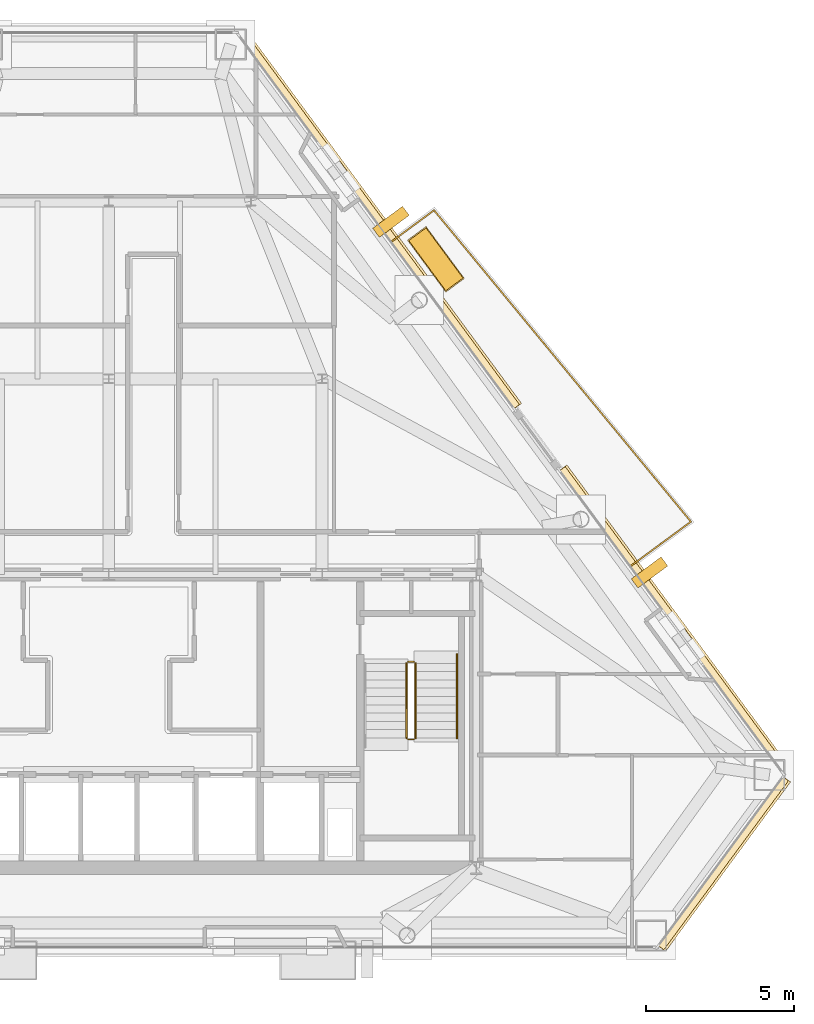
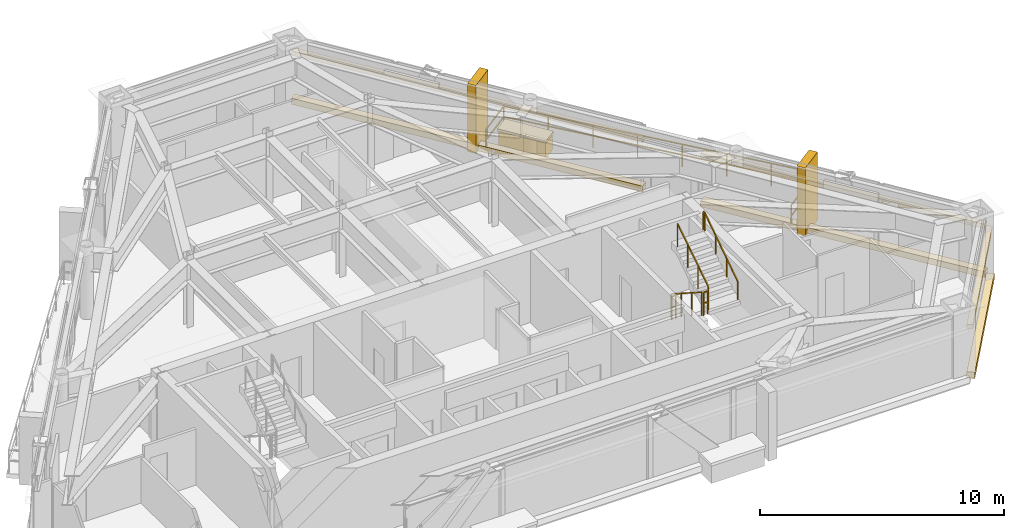
# One storey, part 12 of 12: 10 coverings, 6 railings.
"""IFC4 building model written with IfcOpenShell, lengths in metres."""

from ifc_helpers import new_model, si_unit, direction, frame, origin, origin_2d, place, context, subcontext, project, spatial, rectangle, extrude, material, layer, layer_set, type_object, element, save


model = new_model("IFC4")

# Units and contexts
model_context = context("Model", 3, precision=1e-05, world=origin(), true_north=direction((0.0, 1.0)))
body_context = subcontext(model_context, "Body", "Model", "MODEL_VIEW")
ifc_project = project(units=[si_unit("LENGTHUNIT", "METRE"), si_unit("AREAUNIT", "SQUARE_METRE"), si_unit("VOLUMEUNIT", "CUBIC_METRE"), si_unit("PLANEANGLEUNIT", "RADIAN"), si_unit("MASSUNIT", "GRAM", prefix="KILO")], contexts=[model_context])

# Site, building, storey
site_placement = place(None, origin())
site = spatial("IfcSite", under=ifc_project, at=site_placement, CompositionType="ELEMENT")
building_placement = place(site_placement, origin())
building = spatial("IfcBuilding", under=site, at=building_placement, Name="Talgorran Terracotta Tower", CompositionType="ELEMENT")
storey_placement = place(building_placement, frame((0.0, 0.0, 182.10009765625)))
storey = spatial("IfcBuildingStorey", under=building, at=storey_placement, Name="L47", CompositionType="ELEMENT", Elevation=182.10009765625)

# Coverings
ifc_material_1 = material(Name="Kiln-Fired Terracotta Ochre Ceramic", Category="masonry")
ifc_layer_1 = layer(ifc_material_1, 0.179931640625, Name="COV_BAGUETTE_TERRACOTTA_SCREEN")
ifc_layer_set_1 = layer_set([ifc_layer_1], Name="Kiln-Fired Terracotta Ochre Ceramic")
covering_type_1 = type_object("IfcCoveringType", Name="COV_BAGUETTE_TERRACOTTA_SCREEN", PredefinedType="CLADDING", material=ifc_layer_set_1)
covering_1_placement = place(storey_placement, frame((20.727294921875, -13.937255859375, 2.41015625), z_axis=(0.0, 0.0, 1.0), x_axis=(0.593489124579, 0.804842008724, 0.0)))
element("IfcCovering", 1, at=covering_1_placement, inside=storey, type_object=covering_type_1, Name="L47 Terracotta Baguette Solar Screen Assembly F2", PredefinedType="CLADDING", context=body_context, shape_type="SweptSolid", body=[
    extrude(rectangle(XDim=7.08544921875, YDim=0.260009765625, at=origin_2d()), origin(), (0.0, 0.0, 1.0), 0.219970703125),
])
covering_2_placement = place(storey_placement, frame((19.05126953125, -5.730224609375, 2.41015625), z_axis=(0.0, 0.0, 1.0), x_axis=(-0.593489124579, 0.804842008724, 0.0)))
element("IfcCovering", 2, at=covering_2_placement, inside=storey, type_object=covering_type_1, Name="L47 Terracotta Baguette Solar Screen Assembly F40", PredefinedType="CLADDING", context=body_context, shape_type="SweptSolid", body=[
    extrude(rectangle(XDim=12.65380859375, YDim=0.260009765625, at=origin_2d()), origin(), (0.0, 0.0, 1.0), 0.219970703125),
])
covering_3_placement = place(storey_placement, frame((9.107421875, 7.75439453125, 2.41015625), z_axis=(0.0, 0.0, 1.0), x_axis=(-0.593489124579, 0.804842008724, 0.0)))
element("IfcCovering", 3, at=covering_3_placement, inside=storey, type_object=covering_type_1, Name="L47 Terracotta Baguette Solar Screen Assembly F41", PredefinedType="CLADDING", context=body_context, shape_type="SweptSolid", body=[
    extrude(rectangle(XDim=15.6552734375, YDim=0.260009765625, at=origin_2d()), origin(), (0.0, 0.0, 1.0), 0.219970703125),
])
ifc_material_2 = material(Name="Honed Limestone and Terracotta Planter", Category="masonry")
ifc_layer_2 = layer(ifc_material_2, 0.1201171875, Name="COV_PLANTER_BOX")
ifc_layer_set_2 = layer_set([ifc_layer_2], Name="Honed Limestone and Terracotta Planter")
covering_type_2 = type_object("IfcCoveringType", Name="COV_PLANTER_BOX", PredefinedType="CLADDING", material=ifc_layer_set_2)
covering_4_placement = place(storey_placement, frame((11.03857421875, 6.43310546875, -0.02001953125), z_axis=(0.0, 0.0, 1.0), x_axis=(-0.593489124579, 0.804842008724, 0.0)))
element("IfcCovering", 4, at=covering_4_placement, inside=storey, type_object=covering_type_2, Name="L47 Staggered Balcony Planter Box BAL-NE", PredefinedType="CLADDING", context=body_context, shape_type="SweptSolid", body=[
    extrude(rectangle(XDim=2.10009765625, YDim=0.719970703125, at=origin_2d()), origin(), (0.0, 0.0, 1.0), 0.860107421875),
])
ifc_material_3 = material(Name="Kiln-Fired Terracotta Planter Rim", Category="masonry")
ifc_layer_3 = layer(ifc_material_3, 0.10009765625, Name="COV_PLANTER_RIM")
ifc_layer_set_3 = layer_set([ifc_layer_3], Name="Kiln-Fired Terracotta Planter Rim")
covering_type_3 = type_object("IfcCoveringType", Name="COV_PLANTER_RIM", PredefinedType="CLADDING", material=ifc_layer_set_3)
covering_5_placement = place(storey_placement, frame((11.03857421875, 6.43310546875, 0.7998046875), z_axis=(0.0, 0.0, 1.0), x_axis=(-0.593489124579, 0.804842008724, 0.0)))
element("IfcCovering", 5, at=covering_5_placement, inside=storey, type_object=covering_type_3, Name="L47 Balcony Planter Terracotta Rim BAL-NE", PredefinedType="CLADDING", context=body_context, shape_type="SweptSolid", body=[
    extrude(rectangle(XDim=2.179931640625, YDim=0.780029296875, at=origin_2d()), origin(), (0.0, 0.0, 1.0), 0.1201171875),
])
ifc_material_4 = material(Name="Honed Limestone Cladding", Category="masonry")
ifc_layer_4 = layer(ifc_material_4, 0.094970703125, Name="COV_PORTAL_LIME")
ifc_layer_set_4 = layer_set([ifc_layer_4], Name="Honed Limestone Cladding")
covering_type_4 = type_object("IfcCoveringType", Name="COV_PORTAL_LIME", PredefinedType="CLADDING", material=ifc_layer_set_4)
covering_6_placement = place(storey_placement, frame((18.24609375, -4.133056640625, -0.050048828125), z_axis=(0.0, 0.0, 1.0), x_axis=(-0.593489124579, 0.804842008724, 0.0)))
element("IfcCovering", 6, at=covering_6_placement, inside=storey, type_object=covering_type_4, Name="L47 White Striped Portal Fin F3-1", PredefinedType="CLADDING", context=body_context, shape_type="SweptSolid", body=[
    extrude(rectangle(XDim=0.3798828125, YDim=1.25, at=origin_2d()), origin(), (0.0, 0.0, 1.0), 3.39990234375),
])
ifc_material_5 = material(Name="Kiln-Fired Terracotta Cladding", Category="masonry")
ifc_layer_5 = layer(ifc_material_5, 0.090087890625, Name="COV_PORTAL_TERRA")
ifc_layer_set_5 = layer_set([ifc_layer_5], Name="Kiln-Fired Terracotta Cladding")
covering_type_5 = type_object("IfcCoveringType", Name="COV_PORTAL_TERRA", PredefinedType="CLADDING", material=ifc_layer_set_5)
covering_7_placement = place(storey_placement, frame((20.759521484375, -13.9609375, -0.0400390625), z_axis=(0.0, 0.0, 1.0), x_axis=(0.593489124579, 0.804842008724, 0.0)))
element("IfcCovering", 7, at=covering_7_placement, inside=storey, type_object=covering_type_5, Name="L47 Striped Postmodern Portal Cladding Band F2", PredefinedType="CLADDING", context=body_context, shape_type="SweptSolid", body=[
    extrude(rectangle(XDim=7.10546875, YDim=0.340087890625, at=origin_2d()), origin(), (0.0, 0.0, 1.0), 0.300048828125),
])
covering_8_placement = place(storey_placement, frame((19.08349609375, -5.70654296875, -0.0400390625), z_axis=(0.0, 0.0, 1.0), x_axis=(-0.593489124579, 0.804842008724, 0.0)))
element("IfcCovering", 8, at=covering_8_placement, inside=storey, type_object=covering_type_5, Name="L47 Striped Postmodern Portal Cladding Band F40", PredefinedType="CLADDING", context=body_context, shape_type="SweptSolid", body=[
    extrude(rectangle(XDim=12.673583984375, YDim=0.340087890625, at=origin_2d()), origin(), (0.0, 0.0, 1.0), 0.300048828125),
])
covering_9_placement = place(storey_placement, frame((9.1396484375, 7.778076171875, -0.0400390625), z_axis=(0.0, 0.0, 1.0), x_axis=(-0.593489124579, 0.804842008724, 0.0)))
element("IfcCovering", 9, at=covering_9_placement, inside=storey, type_object=covering_type_5, Name="L47 Striped Postmodern Portal Cladding Band F41", PredefinedType="CLADDING", context=body_context, shape_type="SweptSolid", body=[
    extrude(rectangle(XDim=15.67529296875, YDim=0.340087890625, at=origin_2d()), origin(), (0.0, 0.0, 1.0), 0.300048828125),
])
covering_10_placement = place(storey_placement, frame((9.521240234375, 7.69873046875, -0.050048828125), z_axis=(0.0, 0.0, 1.0), x_axis=(-0.593489124579, 0.804842008724, 0.0)))
element("IfcCovering", 10, at=covering_10_placement, inside=storey, type_object=covering_type_5, Name="L47 Terracotta Striped Portal Fin F3-2", PredefinedType="CLADDING", context=body_context, shape_type="SweptSolid", body=[
    extrude(rectangle(XDim=0.3798828125, YDim=1.25, at=origin_2d()), origin(), (0.0, 0.0, 1.0), 3.39990234375),
])

# Railings
ifc_material_6 = material(Name="Laminated Glass and Stainless Steel 316", Category="steel")
railing_type_1 = type_object("IfcRailingType", Name="RL_BALCONY_1150", PredefinedType="BALUSTRADE", material=ifc_material_6)
railing_1_placement = place(storey_placement, frame((17.6142578125, -3.91650390625, 0.0)))
element("IfcRailing", 11, at=railing_1_placement, inside=storey, type_object=railing_type_1, Name="RL-L47-BAL-BAL-NE", PredefinedType="BALUSTRADE", context=body_context, shape_type="SweptSolid", body=[
    extrude(rectangle(XDim=0.048095703125, YDim=0.048095703125, at=origin_2d()), frame((0.0, 0.0, 1.1259765625), z_axis=(0.804853785549, 0.593473153468, 0.0), x_axis=(-0.593473153468, 0.804853785549, 0.0)), (0.0, 0.0, 1.0), 2.521240234375),
    extrude(rectangle(XDim=0.048095703125, YDim=0.048095703125, at=origin_2d()), frame((0.0, 0.0, 0.597900390625), z_axis=(0.804853785549, 0.593473153468, 0.0), x_axis=(-0.593473153468, 0.804853785549, 0.0)), (0.0, 0.0, 1.0), 2.521240234375),
    extrude(rectangle(XDim=0.048095703125, YDim=0.048095703125, at=origin_2d()), frame((2.029296875, 1.496337890625, 1.1259765625), z_axis=(-0.636374157048, 0.771380536597, 0.0), x_axis=(-0.771380536597, -0.636374157048, 0.0)), (0.0, 0.0, 1.0), 13.622314453125),
    extrude(rectangle(XDim=0.048095703125, YDim=0.048095703125, at=origin_2d()), frame((2.029296875, 1.496337890625, 0.597900390625), z_axis=(-0.636374157048, 0.771380536597, 0.0), x_axis=(-0.771380536597, -0.636374157048, 0.0)), (0.0, 0.0, 1.0), 13.622314453125),
    extrude(rectangle(XDim=0.048095703125, YDim=0.048095703125, at=origin_2d()), frame((-6.6396484375, 12.00439453125, 1.1259765625), z_axis=(-0.804876588494, -0.593442227428, 0.0), x_axis=(0.593442227428, -0.804876588494, 0.0)), (0.0, 0.0, 1.0), 1.780517578125),
    extrude(rectangle(XDim=0.048095703125, YDim=0.048095703125, at=origin_2d()), frame((-6.6396484375, 12.00439453125, 0.597900390625), z_axis=(-0.804876588494, -0.593442227428, 0.0), x_axis=(0.593442227428, -0.804876588494, 0.0)), (0.0, 0.0, 1.0), 1.780517578125),
    extrude(rectangle(XDim=0.0419921875, YDim=0.0419921875, at=origin_2d()), origin(), (0.0, 0.0, 1.0), 1.101806640625),
    extrude(rectangle(XDim=0.0419921875, YDim=0.0419921875, at=origin_2d()), frame((1.0146484375, 0.748046875, 0.0)), (0.0, 0.0, 1.0), 1.101806640625),
    extrude(rectangle(XDim=0.0419921875, YDim=0.0419921875, at=origin_2d()), frame((2.029296875, 1.496337890625, 0.0)), (0.0, 0.0, 1.0), 1.101806640625),
    extrude(rectangle(XDim=0.0419921875, YDim=0.0419921875, at=origin_2d()), frame((0.790771484375, 2.99755859375, 0.0)), (0.0, 0.0, 1.0), 1.101806640625),
    extrude(rectangle(XDim=0.0419921875, YDim=0.0419921875, at=origin_2d()), frame((-0.447509765625, 4.49853515625, 0.0)), (0.0, 0.0, 1.0), 1.101806640625),
    extrude(rectangle(XDim=0.0419921875, YDim=0.0419921875, at=origin_2d()), frame((-1.68603515625, 5.999755859375, 0.0)), (0.0, 0.0, 1.0), 1.101806640625),
    extrude(rectangle(XDim=0.0419921875, YDim=0.0419921875, at=origin_2d()), frame((-2.92431640625, 7.5009765625, 0.0)), (0.0, 0.0, 1.0), 1.101806640625),
    extrude(rectangle(XDim=0.0419921875, YDim=0.0419921875, at=origin_2d()), frame((-4.162841796875, 9.002197265625, 0.0)), (0.0, 0.0, 1.0), 1.101806640625),
    extrude(rectangle(XDim=0.0419921875, YDim=0.0419921875, at=origin_2d()), frame((-5.401123046875, 10.503173828125, 0.0)), (0.0, 0.0, 1.0), 1.101806640625),
    extrude(rectangle(XDim=0.0419921875, YDim=0.0419921875, at=origin_2d()), frame((-6.6396484375, 12.00439453125, 0.0)), (0.0, 0.0, 1.0), 1.101806640625),
    extrude(rectangle(XDim=0.0419921875, YDim=0.0419921875, at=origin_2d()), frame((-8.07275390625, 10.94775390625, 0.0)), (0.0, 0.0, 1.0), 1.101806640625),
])
ifc_material_7 = material(Name="Steel S355 (300PLUS)", Category="steel")
railing_type_2 = type_object("IfcRailingType", Name="RL_HANDRAIL_920", PredefinedType="HANDRAIL", material=ifc_material_7)
railing_2_placement = place(storey_placement, frame((11.75, -9.719970703125, 1.97998046875)))
element("IfcRailing", 12, at=railing_2_placement, inside=storey, type_object=railing_type_2, Name="L47 ST-02 stair handrail 2", PredefinedType="HANDRAIL", context=body_context, shape_type="SweptSolid", body=[
    extrude(rectangle(XDim=0.048095703125, YDim=0.048095703125, at=origin_2d()), frame((0.0, 0.0, 0.89599609375), z_axis=(0.0, 0.832073444223, 0.554665469827), x_axis=(-1.0, 0.0, 0.0)), (0.0, 0.0, 1.0), 3.244873046875),
    extrude(rectangle(XDim=0.048095703125, YDim=0.048095703125, at=origin_2d()), frame((0.0, 2.699951171875, 2.69580078125), z_axis=(0.0, 1.0, 0.0), x_axis=(-1.0, 0.0, 0.0)), (0.0, 0.0, 1.0), 0.1201171875),
    extrude(rectangle(XDim=0.0419921875, YDim=0.0419921875, at=origin_2d()), origin(), (0.0, 0.0, 1.0), 0.871826171875),
    extrude(rectangle(XDim=0.0419921875, YDim=0.0419921875, at=origin_2d()), frame((0.0, 0.89990234375, 0.599853515625)), (0.0, 0.0, 1.0), 0.871826171875),
    extrude(rectangle(XDim=0.0419921875, YDim=0.0419921875, at=origin_2d()), frame((0.0, 1.800048828125, 1.199951171875)), (0.0, 0.0, 1.0), 0.871826171875),
    extrude(rectangle(XDim=0.0419921875, YDim=0.0419921875, at=origin_2d()), frame((0.0, 2.699951171875, 1.7998046875)), (0.0, 0.0, 1.0), 0.871826171875),
    extrude(rectangle(XDim=0.0419921875, YDim=0.0419921875, at=origin_2d()), frame((0.0, 2.820068359375, 1.7998046875)), (0.0, 0.0, 1.0), 0.871826171875),
])
railing_type_3 = type_object("IfcRailingType", Name="RL_STAIR_GUARD", PredefinedType="GUARDRAIL", material=ifc_material_7)
railing_3_placement = place(storey_placement, frame((10.050048828125, -7.199951171875, 0.179931640625)))
element("IfcRailing", 13, at=railing_3_placement, inside=storey, type_object=railing_type_3, Name="L47 ST-02 stair guard 1", PredefinedType="GUARDRAIL", context=body_context, shape_type="SweptSolid", body=[
    extrude(rectangle(XDim=0.048095703125, YDim=0.048095703125, at=origin_2d()), frame((0.0, 0.0, 1.15576171875), z_axis=(0.0, -0.841199657755, 0.540724639528), x_axis=(1.0, 0.0, 0.0)), (0.0, 0.0, 1.0), 2.995849609375),
    extrude(rectangle(XDim=0.0419921875, YDim=0.0419921875, at=origin_2d()), origin(), (0.0, 0.0, 1.0), 1.1318359375),
    extrude(rectangle(XDim=0.0419921875, YDim=0.0419921875, at=origin_2d()), frame((0.0, -0.840087890625, 0.5400390625)), (0.0, 0.0, 1.0), 1.1318359375),
    extrude(rectangle(XDim=0.0419921875, YDim=0.0419921875, at=origin_2d()), frame((0.0, -1.679931640625, 1.079833984375)), (0.0, 0.0, 1.0), 1.1318359375),
    extrude(rectangle(XDim=0.0419921875, YDim=0.0419921875, at=origin_2d()), frame((0.0, -2.52001953125, 1.619873046875)), (0.0, 0.0, 1.0), 1.1318359375),
])
railing_4_placement = place(storey_placement, frame((10.10009765625, -9.77001953125, 1.7998046875)))
element("IfcRailing", 14, at=railing_4_placement, inside=storey, type_object=railing_type_3, Name="L47 ST-02 stair guard 2", PredefinedType="GUARDRAIL", context=body_context, shape_type="SweptSolid", body=[
    extrude(rectangle(XDim=0.048095703125, YDim=0.048095703125, at=origin_2d()), frame((0.0, 0.0, 1.15576171875), z_axis=(1.0, 0.0, 0.0), x_axis=(0.0, 1.0, 0.0)), (0.0, 0.0, 1.0), 0.199951171875),
    extrude(rectangle(XDim=0.048095703125, YDim=0.048095703125, at=origin_2d()), frame((0.0, 0.0, 0.613525390625), z_axis=(1.0, 0.0, 0.0), x_axis=(0.0, 1.0, 0.0)), (0.0, 0.0, 1.0), 0.199951171875),
    extrude(rectangle(XDim=0.0419921875, YDim=0.0419921875, at=origin_2d()), origin(), (0.0, 0.0, 1.0), 1.1318359375),
    extrude(rectangle(XDim=0.0419921875, YDim=0.0419921875, at=origin_2d()), frame((0.199951171875, 0.0, 0.0)), (0.0, 0.0, 1.0), 1.1318359375),
])
railing_5_placement = place(storey_placement, frame((10.35009765625, -9.719970703125, 1.97998046875)))
element("IfcRailing", 15, at=railing_5_placement, inside=storey, type_object=railing_type_3, Name="L47 ST-02 stair guard 3", PredefinedType="GUARDRAIL", context=body_context, shape_type="SweptSolid", body=[
    extrude(rectangle(XDim=0.048095703125, YDim=0.048095703125, at=origin_2d()), frame((0.0, 0.0, 1.15576171875), z_axis=(0.0, 0.841199657755, 0.540724639528), x_axis=(-1.0, 0.0, 0.0)), (0.0, 0.0, 1.0), 2.995849609375),
    extrude(rectangle(XDim=0.0419921875, YDim=0.0419921875, at=origin_2d()), origin(), (0.0, 0.0, 1.0), 1.1318359375),
    extrude(rectangle(XDim=0.0419921875, YDim=0.0419921875, at=origin_2d()), frame((0.0, 0.840087890625, 0.5400390625)), (0.0, 0.0, 1.0), 1.1318359375),
    extrude(rectangle(XDim=0.0419921875, YDim=0.0419921875, at=origin_2d()), frame((0.0, 1.679931640625, 1.079833984375)), (0.0, 0.0, 1.0), 1.1318359375),
    extrude(rectangle(XDim=0.0419921875, YDim=0.0419921875, at=origin_2d()), frame((0.0, 2.52001953125, 1.619873046875)), (0.0, 0.0, 1.0), 1.1318359375),
])
railing_6_placement = place(storey_placement, frame((10.10009765625, -7.14990234375, 0.0)))
element("IfcRailing", 16, at=railing_6_placement, inside=storey, type_object=railing_type_3, Name="L47 ST-02 stair guard 4", PredefinedType="GUARDRAIL", context=body_context, shape_type="SweptSolid", body=[
    extrude(rectangle(XDim=0.048095703125, YDim=0.048095703125, at=origin_2d()), frame((0.0, 0.0, 1.15576171875), z_axis=(1.0, 0.0, 0.0), x_axis=(0.0, 1.0, 0.0)), (0.0, 0.0, 1.0), 0.199951171875),
    extrude(rectangle(XDim=0.048095703125, YDim=0.048095703125, at=origin_2d()), frame((0.0, 0.0, 0.613525390625), z_axis=(1.0, 0.0, 0.0), x_axis=(0.0, 1.0, 0.0)), (0.0, 0.0, 1.0), 0.199951171875),
    extrude(rectangle(XDim=0.0419921875, YDim=0.0419921875, at=origin_2d()), origin(), (0.0, 0.0, 1.0), 1.1318359375),
    extrude(rectangle(XDim=0.0419921875, YDim=0.0419921875, at=origin_2d()), frame((0.199951171875, 0.0, 0.0)), (0.0, 0.0, 1.0), 1.1318359375),
])

save(model, "model.ifc")
